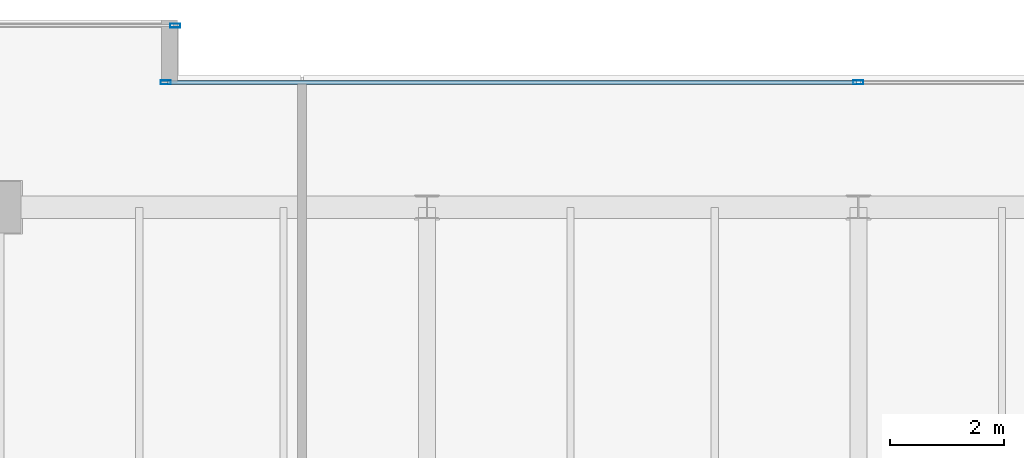
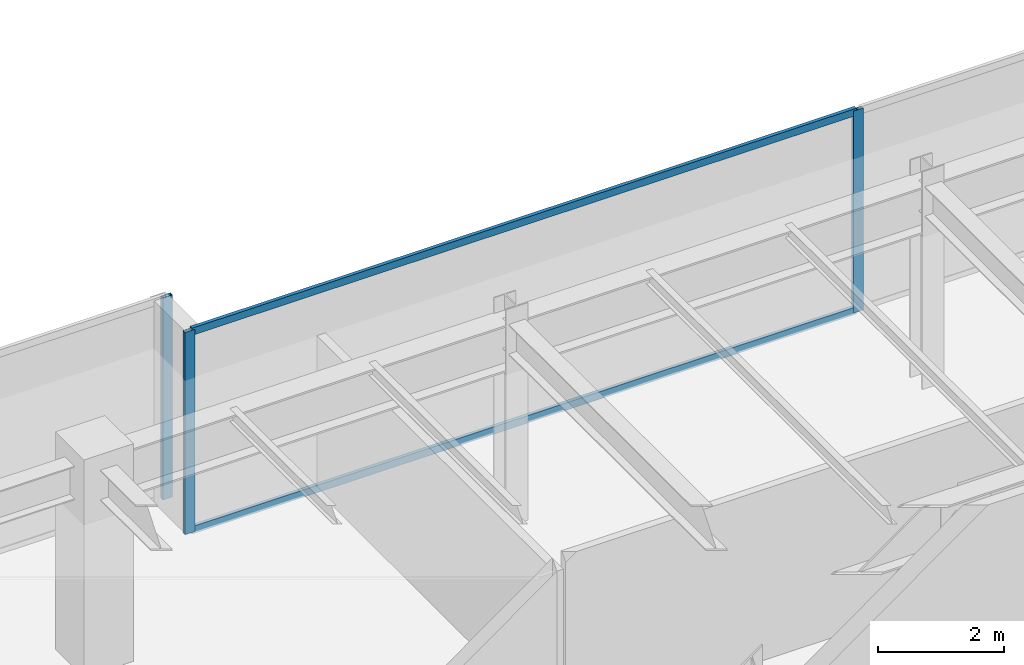
# One storey, part 21 of 32: 5 members, 2 elements without a shape of their own.
"""IFC4 building model written with IfcOpenShell, lengths in metres."""

from ifc_helpers import new_model, si_unit, direction, frame, origin, origin_2d, place, context, subcontext, project, spatial, hollow_rectangle, extrude, source, transform, mapped, material, layer, layer_set, material_profile, profile_set, type_object, type_shapes, element, aggregate, save


model = new_model("IFC4")

# Units and contexts
model_context = context("Model", 3, precision=1e-05, world=origin(), true_north=direction((0.0, 1.0)))
body_context = subcontext(model_context, "Body", "Model", "MODEL_VIEW")
ifc_project = project(units=[si_unit("LENGTHUNIT", "METRE"), si_unit("AREAUNIT", "SQUARE_METRE"), si_unit("VOLUMEUNIT", "CUBIC_METRE"), si_unit("PLANEANGLEUNIT", "RADIAN"), si_unit("MASSUNIT", "GRAM", prefix="KILO")], contexts=[model_context])

# Site, building, storey
site_placement = place(None, origin())
site = spatial("IfcSite", under=ifc_project, at=site_placement, CompositionType="ELEMENT")
building_placement = place(site_placement, origin())
building = spatial("IfcBuilding", under=site, at=building_placement, Name="Haelvirn Gate Laboratories", CompositionType="ELEMENT")
storey_placement = place(building_placement, frame((0.0, 0.0, 301.800048828125)))
storey = spatial("IfcBuildingStorey", under=building, at=storey_placement, Name="L72", CompositionType="ELEMENT", Elevation=301.800048828125)

# Curtain wall, members
ifc_material_1 = material(Name="Anodised bronze unitised aluminium & triple low-E glass", Category="aluminium")
ifc_layer = layer(ifc_material_1, 0.176025390625, Name="CW-SYS-4")
ifc_layer_set = layer_set([ifc_layer], Name="Anodised bronze unitised aluminium & triple low-E glass")
curtain_wall_type = type_object("IfcCurtainWallType", Name="CW-SYS-4", PredefinedType="NOTDEFINED", material=ifc_layer_set)
curtain_wall_1_placement = place(storey_placement, origin())
curtain_wall_1 = element("IfcCurtainWall", 1, at=curtain_wall_1_placement, inside=storey, type_object=curtain_wall_type, Name="L72 Unitised Curtain Wall CW-L72-P0-E12-1", PredefinedType="NOTDEFINED")
ifc_material_2 = material(Name="Extruded aluminium 6063-T6 (anodised bronze)", Category="aluminium")
ifc_material_profile_1 = material_profile(ifc_material_2, hollow_rectangle(XDim=0.06494140625, YDim=0.139892578125, WallThickness=0.00390625, at=origin_2d()), Name="CWT-140x65x4")
ifc_profile_set_1 = profile_set([ifc_material_profile_1], Name="Extruded aluminium 6063-T6 (anodised bronze)")
member_type_1 = type_object("IfcMemberType", Name="CWT-T140", PredefinedType="USERDEFINED", material=ifc_profile_set_1)
shared_shape_1 = source(origin(), body_context, "Body", "SweptSolid", [
    extrude(hollow_rectangle(XDim=0.06494140625, YDim=0.139892578125, WallThickness=0.00390625, at=origin_2d()), origin(), (0.0, 0.0, 1.0), 12.135009765625),
])
type_shapes(member_type_1, [shared_shape_1])
member_1_placement = place(storey_placement, frame((25.22998046875, 43.800048828125, 0.032470703125), z_axis=(1.0, 0.0, 0.0), x_axis=(0.0, 1.0, 0.0)))
member_1 = element("IfcMember", 2, at=member_1_placement, type_object=member_type_1, Name="CW4 transom 1.1", ObjectType="TRANSOM", PredefinedType="USERDEFINED", context=body_context, shape_type="MappedRepresentation", body=[
    mapped(shared_shape_1, transform((0.0, 0.0, 0.0), scale=1.0)),
])
member_2_placement = place(storey_placement, frame((25.22998046875, 43.800048828125, 3.867431640625), z_axis=(1.0, 0.0, 0.0), x_axis=(0.0, 1.0, 0.0)))
member_2 = element("IfcMember", 3, at=member_2_placement, type_object=member_type_1, Name="CW4 transom 1.2", ObjectType="TRANSOM", PredefinedType="USERDEFINED", context=body_context, shape_type="MappedRepresentation", body=[
    mapped(shared_shape_1, transform((0.0, 0.0, 0.0), scale=1.0)),
])
ifc_material_profile_2 = material_profile(ifc_material_2, hollow_rectangle(XDim=0.070068359375, YDim=0.179931640625, WallThickness=0.0048828125, at=origin_2d()), Name="CWM-180x70x5")
ifc_profile_set_2 = profile_set([ifc_material_profile_2], Name="Extruded aluminium 6063-T6 (anodised bronze)")
member_type_2 = type_object("IfcMemberType", Name="CWM-T180", PredefinedType="MULLION", material=ifc_profile_set_2)
shared_shape_2 = source(origin(), body_context, "Body", "SweptSolid", [
    extrude(hollow_rectangle(XDim=0.070068359375, YDim=0.179931640625, WallThickness=0.0048828125, at=origin_2d()), origin(), (0.0, 0.0, 1.0), 3.89990234375),
])
type_shapes(member_type_2, [shared_shape_2])
member_3_placement = place(storey_placement, frame((25.195068359375, 43.800048828125, 0.0), z_axis=(0.0, 0.0, 1.0), x_axis=(0.0, 1.0, 0.0)))
member_3 = element("IfcMember", 4, at=member_3_placement, type_object=member_type_2, Name="CW4 mullion 1", PredefinedType="MULLION", context=body_context, shape_type="MappedRepresentation", body=[
    mapped(shared_shape_2, transform((0.0, 0.0, 0.0), scale=1.0)),
])
member_4_placement = place(storey_placement, frame((37.39990234375, 43.800048828125, 0.0), z_axis=(0.0, 0.0, 1.0), x_axis=(0.0, 1.0, 0.0)))
member_4 = element("IfcMember", 5, at=member_4_placement, type_object=member_type_2, Name="CW4 mullion 2", PredefinedType="MULLION", context=body_context, shape_type="MappedRepresentation", body=[
    mapped(shared_shape_2, transform((0.0, 0.0, 0.0), scale=1.0)),
])
aggregate(curtain_wall_1, [member_3, member_4, member_1, member_2])

# Curtain wall, member
curtain_wall_2_placement = place(storey_placement, origin())
curtain_wall_2 = element("IfcCurtainWall", 6, at=curtain_wall_2_placement, inside=storey, type_object=curtain_wall_type, Name="L72 Unitised Curtain Wall CW-L72-P0-E14-1", PredefinedType="NOTDEFINED")
member_5_placement = place(storey_placement, frame((25.364990234375, 44.800048828125, 0.0), z_axis=(0.0, 0.0, 1.0), x_axis=(0.0, 1.0, 0.0)))
member_5 = element("IfcMember", 7, at=member_5_placement, type_object=member_type_2, Name="CW4 mullion 3", PredefinedType="MULLION", context=body_context, shape_type="MappedRepresentation", body=[
    mapped(shared_shape_2, transform((0.0, 0.0, 0.0), scale=1.0)),
])
aggregate(curtain_wall_2, [member_5])

save(model, "model.ifc")
